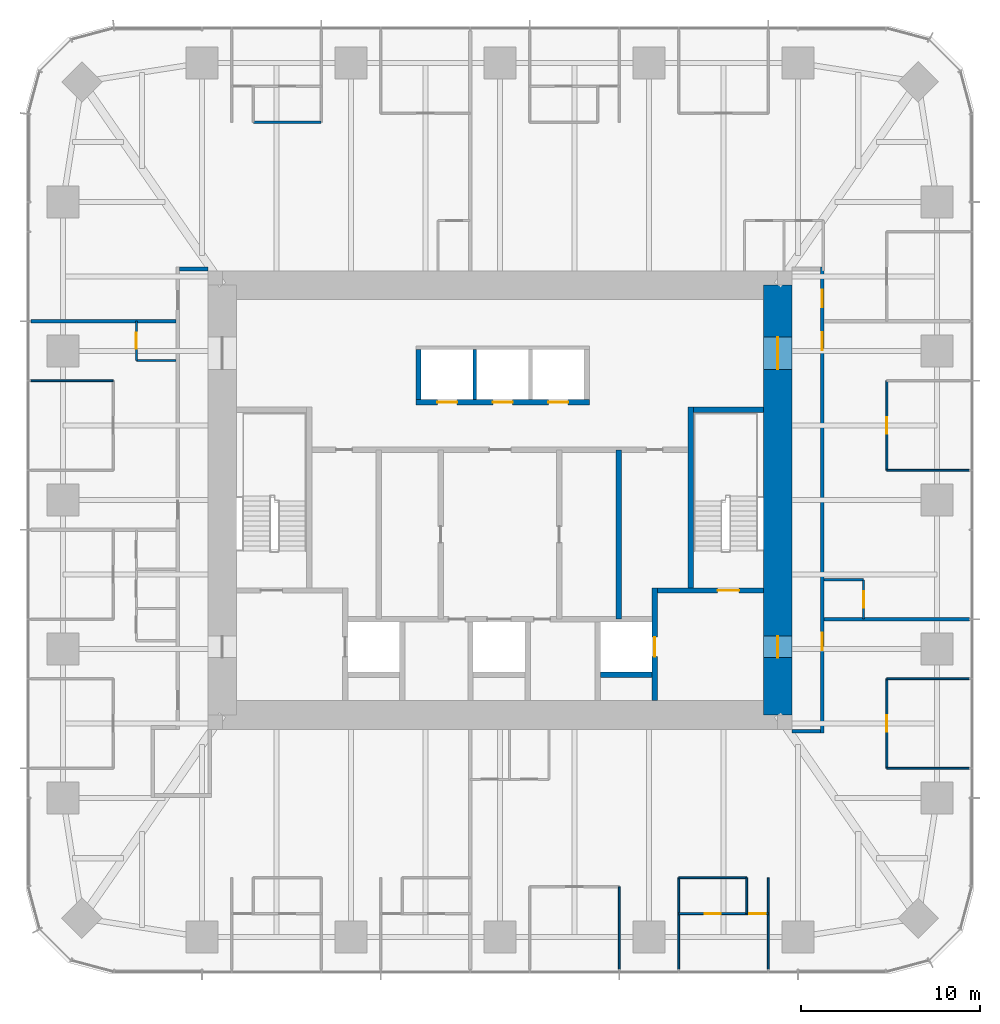
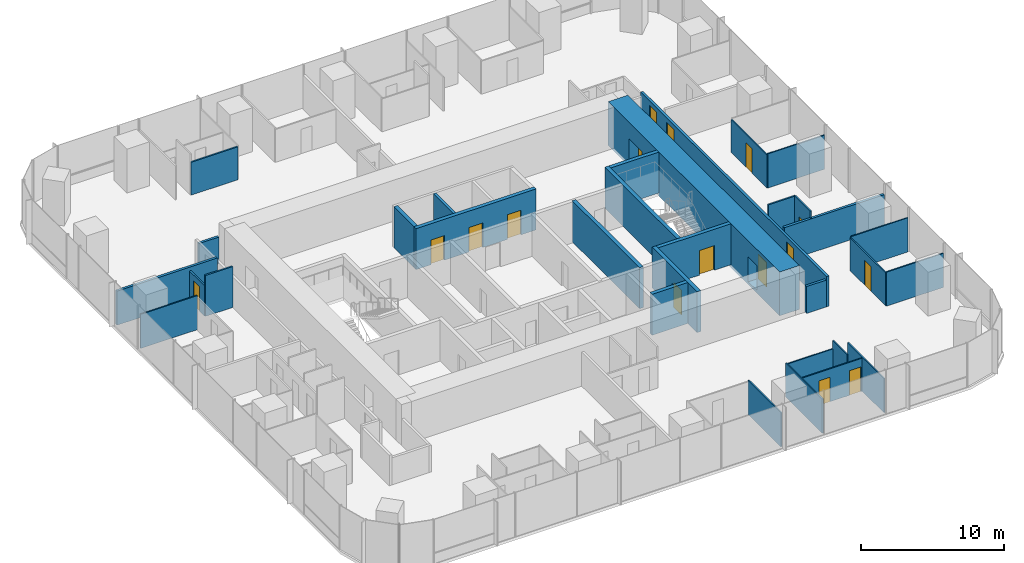
# One storey, part 10 of 12: 32 walls, 16 doors, 16 openings.
"""IFC4 building model written with IfcOpenShell, lengths in metres."""

from ifc_helpers import new_model, si_unit, direction, frame, frame_2d, origin, place, context, subcontext, project, spatial, rectangle, extrude, material, layer, layer_set, type_object, element, fill, save


model = new_model("IFC4")

# Units and contexts
model_context = context("Model", 3, precision=1e-05, world=origin(), true_north=direction((0.0, 1.0)))
body_context = subcontext(model_context, "Body", "Model", "MODEL_VIEW")
ifc_project = project(units=[si_unit("LENGTHUNIT", "METRE"), si_unit("AREAUNIT", "SQUARE_METRE"), si_unit("VOLUMEUNIT", "CUBIC_METRE"), si_unit("PLANEANGLEUNIT", "RADIAN"), si_unit("MASSUNIT", "GRAM", prefix="KILO")], contexts=[model_context])

# Site, building, storey
site_placement = place(None, origin())
site = spatial("IfcSite", under=ifc_project, at=site_placement, CompositionType="ELEMENT")
building_placement = place(site_placement, origin())
building = spatial("IfcBuilding", under=site, at=building_placement, Name="Khuree Lantern Residences", CompositionType="ELEMENT")
storey_placement = place(building_placement, frame((0.0, 0.0, 214.5)))
storey = spatial("IfcBuildingStorey", under=building, at=storey_placement, Name="L53", CompositionType="ELEMENT", Elevation=214.5)

# Wall, opening, door
ifc_material_1 = material(Name="Moisture-resistant gypsum board on steel studs", Category="steel")
ifc_layer_1 = layer(ifc_material_1, 0.125)
ifc_layer_set_1 = layer_set([ifc_layer_1], Name="BATHROOM WALL BTW125")
wall_type_1 = type_object("IfcWallType", Name="BATHROOM WALL BTW125", PredefinedType="PARTITIONING", material=ifc_layer_set_1)
wall_1_placement = place(storey_placement, frame((20.300048828125, -6.656005859375, 0.0), z_axis=(0.0, 0.0, 1.0), x_axis=(0.0, 1.0, 0.0)))
wall_1 = element("IfcWall", 1, at=wall_1_placement, inside=storey, type_object=wall_type_1, Name="L53 BATHROOM WALL 01", PredefinedType="PARTITIONING", context=body_context, shape_type="SweptSolid", body=[
    extrude(rectangle(XDim=2.199951171875, YDim=0.125, at=frame_2d((1.10009765625, 0.0))), origin(), (0.0, 0.0, 1.0), 3.5),
])
opening_1_placement = place(wall_1_placement, frame((0.64990234375, 0.0, 0.0)))
opening_1 = element("IfcOpeningElement", 2, at=opening_1_placement, cuts=wall_1, Name="Opening 53-021", PredefinedType="OPENING", context=body_context, shape_type="SweptSolid", body=[
    extrude(rectangle(XDim=0.89990234375, YDim=2.10009765625, at=frame_2d((0.449951171875, 1.050048828125))), frame((0.0, 0.072509765625, 0.0), z_axis=(0.0, -1.0, 0.0), x_axis=(1.0, 0.0, 0.0)), (0.0, 0.0, 1.0), 0.14501953125),
])
ifc_material_2 = material(Name="Timber door leaf in hardwood frame", Category="wood")
door_type_1 = type_object("IfcDoorType", Name="BATHROOM DOOR 900X2100", OperationType="SINGLE_SWING_LEFT", PredefinedType="DOOR", material=ifc_material_2)
door_1_placement = place(opening_1_placement, origin())
door_1 = element("IfcDoor", 3, at=door_1_placement, inside=storey, type_object=door_type_1, Name="Bathroom door 53-021", OperationType="SINGLE_SWING_LEFT", OverallHeight=2.10009765625, OverallWidth=0.89990234375, PredefinedType="DOOR", context=body_context, shape_type="SweptSolid", body=[
    extrude(rectangle(XDim=0.89990234375, YDim=2.10009765625, at=frame_2d((0.449951171875, 1.050048828125))), frame((0.0, 0.02490234375, 0.0), z_axis=(0.0, -1.0, 0.0), x_axis=(1.0, 0.0, 0.0)), (0.0, 0.0, 1.0), 0.050048828125),
])
fill(opening_1, door_1)

# Walls
wall_2_placement = place(storey_placement, frame((18.10009765625, -4.4560546875, 0.0), z_axis=(0.0, 0.0, 1.0), x_axis=(1.0, 0.0, 0.0)))
element("IfcWall", 4, at=wall_2_placement, inside=storey, type_object=wall_type_1, Name="L53 BATHROOM WALL 01", PredefinedType="PARTITIONING", context=body_context, shape_type="SweptSolid", body=[
    extrude(rectangle(XDim=2.199951171875, YDim=0.125, at=frame_2d((1.10009765625, 0.0))), origin(), (0.0, 0.0, 1.0), 3.5),
])
wall_3_placement = place(storey_placement, frame((-9.98388671875, 21.094970703125, 0.0), z_axis=(0.0, 0.0, 1.0), x_axis=(-1.0, 0.0, 0.0)))
element("IfcWall", 5, at=wall_3_placement, inside=storey, type_object=wall_type_1, Name="L53 BATHROOM WALL 03", PredefinedType="PARTITIONING", context=body_context, shape_type="SweptSolid", body=[
    extrude(rectangle(XDim=3.7919921875, YDim=0.125, at=frame_2d((1.89599609375, 0.0))), origin(), (0.0, 0.0, 1.0), 2.81005859375),
])

# Wall, opening, door
wall_4_placement = place(storey_placement, frame((-20.300048828125, 9.98388671875, 0.0), z_axis=(0.0, 0.0, 1.0), x_axis=(0.0, -1.0, 0.0)))
wall_4 = element("IfcWall", 6, at=wall_4_placement, inside=storey, type_object=wall_type_1, Name="L53 BATHROOM WALL 04", PredefinedType="PARTITIONING", context=body_context, shape_type="SweptSolid", body=[
    extrude(rectangle(XDim=2.199951171875, YDim=0.125, at=frame_2d((1.10009765625, 0.0))), origin(), (0.0, 0.0, 1.0), 2.60009765625),
])
opening_2_placement = place(wall_4_placement, frame((0.64990234375, 0.0, 0.0)))
opening_2 = element("IfcOpeningElement", 7, at=opening_2_placement, cuts=wall_4, Name="Opening 53-036", PredefinedType="OPENING", context=body_context, shape_type="SweptSolid", body=[
    extrude(rectangle(XDim=0.89990234375, YDim=2.10009765625, at=frame_2d((0.449951171875, 1.050048828125))), frame((0.0, 0.072509765625, 0.0), z_axis=(0.0, -1.0, 0.0), x_axis=(1.0, 0.0, 0.0)), (0.0, 0.0, 1.0), 0.14501953125),
])
door_2_placement = place(opening_2_placement, origin())
door_2 = element("IfcDoor", 8, at=door_2_placement, inside=storey, type_object=door_type_1, Name="Bathroom door 53-036", OperationType="SINGLE_SWING_LEFT", OverallHeight=2.10009765625, OverallWidth=0.89990234375, PredefinedType="DOOR", context=body_context, shape_type="SweptSolid", body=[
    extrude(rectangle(XDim=0.89990234375, YDim=2.10009765625, at=frame_2d((0.449951171875, 1.050048828125))), frame((0.0, 0.02490234375, 0.0), z_axis=(0.0, -1.0, 0.0), x_axis=(1.0, 0.0, 0.0)), (0.0, 0.0, 1.0), 0.050048828125),
])
fill(opening_2, door_2)

# Wall
wall_5_placement = place(storey_placement, frame((-18.10009765625, 7.783935546875, 0.0), z_axis=(0.0, 0.0, 1.0), x_axis=(-1.0, 0.0, 0.0)))
element("IfcWall", 9, at=wall_5_placement, inside=storey, type_object=wall_type_1, Name="L53 BATHROOM WALL 04", PredefinedType="PARTITIONING", context=body_context, shape_type="SweptSolid", body=[
    extrude(rectangle(XDim=2.199951171875, YDim=0.125, at=frame_2d((1.10009765625, 0.0))), origin(), (0.0, 0.0, 1.0), 3.5),
])

# Wall, opening, door
ifc_material_3 = material(Name="Dense concrete blockwork", Category="masonry")
ifc_layer_2 = layer(ifc_material_3, 0.300048828125)
ifc_layer_set_2 = layer_set([ifc_layer_2], Name="CORE PARTITION WALL CPW300 EI 120")
wall_type_2 = type_object("IfcWallType", Name="CORE PARTITION WALL CPW300 EI 120", PredefinedType="PARTITIONING", material=ifc_layer_set_2)
wall_6_placement = place(storey_placement, frame((8.64990234375, -11.199951171875, 0.0), z_axis=(0.0, 0.0, 1.0), x_axis=(0.0, 1.0, 0.0)))
wall_6 = element("IfcWall", 10, at=wall_6_placement, inside=storey, type_object=wall_type_2, Name="L53 CORE WALL FL2E", PredefinedType="PARTITIONING", context=body_context, shape_type="SweptSolid", body=[
    extrude(rectangle(XDim=6.300048828125, YDim=0.300048828125, at=frame_2d((3.14990234375, 0.0))), origin(), (0.0, 0.0, 1.0), 3.5),
])
opening_3_placement = place(wall_6_placement, frame((2.449951171875, 0.0, 0.0)))
opening_3 = element("IfcOpeningElement", 11, at=opening_3_placement, cuts=wall_6, Name="Opening 53-008", PredefinedType="OPENING", context=body_context, shape_type="SweptSolid", body=[
    extrude(rectangle(XDim=1.10009765625, YDim=2.10009765625, at=frame_2d((0.550048828125, 1.050048828125))), frame((0.0, 0.16015625, 0.0), z_axis=(0.0, -1.0, 0.0), x_axis=(1.0, 0.0, 0.0)), (0.0, 0.0, 1.0), 0.320068359375),
])
ifc_material_4 = material(Name="Stainless steel lift landing door", Category="steel")
door_type_2 = type_object("IfcDoorType", Name="LIFT LANDING DOOR 1100X2100 E 120", OperationType="DOUBLE_DOOR_SLIDING", PredefinedType="DOOR", material=ifc_material_4)
door_3_placement = place(opening_3_placement, origin())
door_3 = element("IfcDoor", 12, at=door_3_placement, inside=storey, type_object=door_type_2, Name="Landing door FL2 53-008", OperationType="DOUBLE_DOOR_SLIDING", OverallHeight=2.10009765625, OverallWidth=1.10009765625, PredefinedType="DOOR", context=body_context, shape_type="SweptSolid", body=[
    extrude(rectangle(XDim=1.10009765625, YDim=2.10009765625, at=frame_2d((0.550048828125, 1.050048828125))), frame((0.0, 0.02490234375, 0.0), z_axis=(0.0, -1.0, 0.0), x_axis=(1.0, 0.0, 0.0)), (0.0, 0.0, 1.0), 0.050048828125),
])
fill(opening_3, door_3)

# Wall
wall_7_placement = place(storey_placement, frame((5.60009765625, -9.75, 0.0), z_axis=(0.0, 0.0, 1.0), x_axis=(1.0, 0.0, 0.0)))
element("IfcWall", 13, at=wall_7_placement, inside=storey, type_object=wall_type_2, Name="L53 CORE WALL FL2S", PredefinedType="PARTITIONING", context=body_context, shape_type="SweptSolid", body=[
    extrude(rectangle(XDim=2.89990234375, YDim=0.300048828125, at=frame_2d((1.449951171875, 0.0))), origin(), (0.0, 0.0, 1.0), 3.5),
])

# Wall, openings, doors
wall_8_placement = place(storey_placement, frame((-4.699951171875, 5.449951171875, 0.0), z_axis=(0.0, 0.0, 1.0), x_axis=(1.0, 0.0, 0.0)))
wall_8 = element("IfcWall", 14, at=wall_8_placement, inside=storey, type_object=wall_type_2, Name="L53 CORE WALL PHS", PredefinedType="PARTITIONING", context=body_context, shape_type="SweptSolid", body=[
    extrude(rectangle(XDim=9.699951171875, YDim=0.300048828125, at=frame_2d((4.85009765625, 0.0))), origin(), (0.0, 0.0, 1.0), 3.5),
])
opening_4_placement = place(wall_8_placement, frame((1.199951171875, 0.0, 0.0)))
opening_4 = element("IfcOpeningElement", 15, at=opening_4_placement, cuts=wall_8, Name="Opening 53-009", PredefinedType="OPENING", context=body_context, shape_type="SweptSolid", body=[
    extrude(rectangle(XDim=1.10009765625, YDim=2.10009765625, at=frame_2d((0.550048828125, 1.050048828125))), frame((0.0, 0.16015625, 0.0), z_axis=(0.0, -1.0, 0.0), x_axis=(1.0, 0.0, 0.0)), (0.0, 0.0, 1.0), 0.320068359375),
])
opening_5_placement = place(wall_8_placement, frame((4.300048828125, 0.0, 0.0)))
opening_5 = element("IfcOpeningElement", 16, at=opening_5_placement, cuts=wall_8, Name="Opening 53-010", PredefinedType="OPENING", context=body_context, shape_type="SweptSolid", body=[
    extrude(rectangle(XDim=1.10009765625, YDim=2.10009765625, at=frame_2d((0.550048828125, 1.050048828125))), frame((0.0, 0.16015625, 0.0), z_axis=(0.0, -1.0, 0.0), x_axis=(1.0, 0.0, 0.0)), (0.0, 0.0, 1.0), 0.320068359375),
])
opening_6_placement = place(wall_8_placement, frame((7.39990234375, 0.0, 0.0)))
opening_6 = element("IfcOpeningElement", 17, at=opening_6_placement, cuts=wall_8, Name="Opening 53-011", PredefinedType="OPENING", context=body_context, shape_type="SweptSolid", body=[
    extrude(rectangle(XDim=1.10009765625, YDim=2.10009765625, at=frame_2d((0.550048828125, 1.050048828125))), frame((0.0, 0.16015625, 0.0), z_axis=(0.0, -1.0, 0.0), x_axis=(1.0, 0.0, 0.0)), (0.0, 0.0, 1.0), 0.320068359375),
])
door_type_3 = type_object("IfcDoorType", Name="LIFT LANDING DOOR 1100X2100 E 60", OperationType="DOUBLE_DOOR_SLIDING", PredefinedType="DOOR", material=ifc_material_4)
door_4_placement = place(opening_4_placement, origin())
door_4 = element("IfcDoor", 18, at=door_4_placement, inside=storey, type_object=door_type_3, Name="Landing door PH1 53-009", OperationType="DOUBLE_DOOR_SLIDING", OverallHeight=2.10009765625, OverallWidth=1.10009765625, PredefinedType="DOOR", context=body_context, shape_type="SweptSolid", body=[
    extrude(rectangle(XDim=1.10009765625, YDim=2.10009765625, at=frame_2d((0.550048828125, 1.050048828125))), frame((0.0, 0.02490234375, 0.0), z_axis=(0.0, -1.0, 0.0), x_axis=(1.0, 0.0, 0.0)), (0.0, 0.0, 1.0), 0.050048828125),
])
fill(opening_4, door_4)
door_5_placement = place(opening_5_placement, origin())
door_5 = element("IfcDoor", 19, at=door_5_placement, inside=storey, type_object=door_type_3, Name="Landing door PH2 53-010", OperationType="DOUBLE_DOOR_SLIDING", OverallHeight=2.10009765625, OverallWidth=1.10009765625, PredefinedType="DOOR", context=body_context, shape_type="SweptSolid", body=[
    extrude(rectangle(XDim=1.10009765625, YDim=2.10009765625, at=frame_2d((0.550048828125, 1.050048828125))), frame((0.0, 0.02490234375, 0.0), z_axis=(0.0, -1.0, 0.0), x_axis=(1.0, 0.0, 0.0)), (0.0, 0.0, 1.0), 0.050048828125),
])
fill(opening_5, door_5)
door_6_placement = place(opening_6_placement, origin())
door_6 = element("IfcDoor", 20, at=door_6_placement, inside=storey, type_object=door_type_3, Name="Landing door PH3 53-011", OperationType="DOUBLE_DOOR_SLIDING", OverallHeight=2.10009765625, OverallWidth=1.10009765625, PredefinedType="DOOR", context=body_context, shape_type="SweptSolid", body=[
    extrude(rectangle(XDim=1.10009765625, YDim=2.10009765625, at=frame_2d((0.550048828125, 1.050048828125))), frame((0.0, 0.02490234375, 0.0), z_axis=(0.0, -1.0, 0.0), x_axis=(1.0, 0.0, 0.0)), (0.0, 0.0, 1.0), 0.050048828125),
])
fill(opening_6, door_6)

# Walls
wall_9_placement = place(storey_placement, frame((-4.550048828125, 5.60009765625, 0.0), z_axis=(0.0, 0.0, 1.0), x_axis=(0.0, 1.0, 0.0)))
element("IfcWall", 21, at=wall_9_placement, inside=storey, type_object=wall_type_2, Name="L53 CORE WALL PHW", PredefinedType="PARTITIONING", context=body_context, shape_type="SweptSolid", body=[
    extrude(rectangle(XDim=2.7998046875, YDim=0.300048828125, at=frame_2d((1.39990234375, 0.0))), origin(), (0.0, 0.0, 1.0), 3.5),
])
wall_10_placement = place(storey_placement, frame((6.6220703125, -6.64990234375, 0.0), z_axis=(0.0, 0.0, 1.0), x_axis=(0.0, 1.0, 0.0)))
element("IfcWall", 22, at=wall_10_placement, inside=storey, type_object=wall_type_2, Name="L53 CORE WALL EV", PredefinedType="PARTITIONING", context=body_context, shape_type="SweptSolid", body=[
    extrude(rectangle(XDim=9.449951171875, YDim=0.300048828125, at=frame_2d((4.72509765625, 0.0))), origin(), (0.0, 0.0, 1.0), 3.5),
])
ifc_material_5 = material(Name="Gypsum board on steel studs", Category="steel")
ifc_layer_3 = layer(ifc_material_5, 0.199951171875)
ifc_layer_set_3 = layer_set([ifc_layer_3], Name="CORRIDOR WALL CRW200 EI 60")
wall_type_3 = type_object("IfcWallType", Name="CORRIDOR WALL CRW200 EI 60", PredefinedType="PARTITIONING", material=ifc_layer_set_3)
for number, where, z_axis, x_axis, name in (
    (23, (16.300048828125, -12.89990234375, 0.0), (0.0, 0.0, 1.0), (1.0, 0.0, 0.0), "L53 EAST CORRIDOR SOUTH END WALL"),
    (24, (-16.300048828125, 12.89990234375, 0.0), (0.0, 0.0, 1.0), (-1.0, 0.0, 0.0), "L53 WEST CORRIDOR NORTH END WALL"),
):
    element("IfcWall", number, at=place(storey_placement, frame(where, z_axis=z_axis, x_axis=x_axis)), inside=storey, type_object=wall_type_3, Name=name, PredefinedType="PARTITIONING", context=body_context, shape_type="SweptSolid", body=[
        extrude(rectangle(XDim=1.599853515625, YDim=0.199951171875, at=frame_2d((0.7998046875, 0.0))), origin(), (0.0, 0.0, 1.0), 2.300048828125),
    ])

# Wall, openings, doors
wall_11_placement = place(storey_placement, frame((18.0, -13.0, 0.0), z_axis=(0.0, 0.0, 1.0), x_axis=(0.0, 1.0, 0.0)))
wall_11 = element("IfcWall", 25, at=wall_11_placement, inside=storey, type_object=wall_type_3, Name="L53 CORRIDOR WALL EAST 1", PredefinedType="PARTITIONING", context=body_context, shape_type="SweptSolid", body=[
    extrude(rectangle(XDim=26.0, YDim=0.199951171875, at=frame_2d((13.0, 0.0))), origin(), (0.0, 0.0, 1.0), 2.60009765625),
])
opening_7_placement = place(wall_11_placement, frame((21.364013671875, 0.0, 0.0)))
opening_7 = element("IfcOpeningElement", 26, at=opening_7_placement, cuts=wall_11, Name="Opening 53-022", PredefinedType="OPENING", context=body_context, shape_type="SweptSolid", body=[
    extrude(rectangle(XDim=1.0, YDim=2.199951171875, at=frame_2d((0.5, 1.10009765625))), frame((0.0, 0.10986328125, 0.0), z_axis=(0.0, -1.0, 0.0), x_axis=(1.0, 0.0, 0.0)), (0.0, 0.0, 1.0), 0.219970703125),
])
opening_8_placement = place(wall_11_placement, frame((23.75390625, 0.0, 0.0)))
opening_8 = element("IfcOpeningElement", 27, at=opening_8_placement, cuts=wall_11, Name="Opening 53-029", PredefinedType="OPENING", context=body_context, shape_type="SweptSolid", body=[
    extrude(rectangle(XDim=1.0, YDim=2.199951171875, at=frame_2d((0.5, 1.10009765625))), frame((0.0, 0.10986328125, 0.0), z_axis=(0.0, -1.0, 0.0), x_axis=(1.0, 0.0, 0.0)), (0.0, 0.0, 1.0), 0.219970703125),
])
opening_9_placement = place(wall_11_placement, frame((4.60009765625, 0.0, 0.0)))
opening_9 = element("IfcOpeningElement", 28, at=opening_9_placement, cuts=wall_11, Name="Opening 53-054", PredefinedType="OPENING", context=body_context, shape_type="SweptSolid", body=[
    extrude(rectangle(XDim=1.0, YDim=2.199951171875, at=frame_2d((0.5, 1.10009765625))), frame((0.0, 0.10986328125, 0.0), z_axis=(0.0, -1.0, 0.0), x_axis=(1.0, 0.0, 0.0)), (0.0, 0.0, 1.0), 0.219970703125),
])
door_type_4 = type_object("IfcDoorType", Name="APARTMENT ENTRANCE DOOR 1000X2200 EI 30S", OperationType="SINGLE_SWING_LEFT", PredefinedType="DOOR", material=ifc_material_2)
door_7_placement = place(opening_9_placement, origin())
door_7 = element("IfcDoor", 29, at=door_7_placement, inside=storey, type_object=door_type_4, Name="Apartment 06 entrance door 53-054", OperationType="SINGLE_SWING_LEFT", OverallHeight=2.199951171875, OverallWidth=1.0, PredefinedType="DOOR", context=body_context, shape_type="SweptSolid", body=[
    extrude(rectangle(XDim=1.0, YDim=2.199951171875, at=frame_2d((0.5, 1.10009765625))), frame((0.0, 0.02490234375, 0.0), z_axis=(0.0, -1.0, 0.0), x_axis=(1.0, 0.0, 0.0)), (0.0, 0.0, 1.0), 0.050048828125),
])
fill(opening_9, door_7)
door_type_5 = type_object("IfcDoorType", Name="APARTMENT ENTRANCE DOOR 1000X2200 EI 30S RIGHT HAND", OperationType="SINGLE_SWING_RIGHT", PredefinedType="DOOR", material=ifc_material_2)
door_8_placement = place(opening_7_placement, origin())
door_8 = element("IfcDoor", 30, at=door_8_placement, inside=storey, type_object=door_type_5, Name="Apartment 01 entrance door 53-022", OperationType="SINGLE_SWING_RIGHT", OverallHeight=2.199951171875, OverallWidth=1.0, PredefinedType="DOOR", context=body_context, shape_type="SweptSolid", body=[
    extrude(rectangle(XDim=1.0, YDim=2.199951171875, at=frame_2d((0.5, 1.10009765625))), frame((0.0, 0.02490234375, 0.0), z_axis=(0.0, -1.0, 0.0), x_axis=(1.0, 0.0, 0.0)), (0.0, 0.0, 1.0), 0.050048828125),
])
fill(opening_7, door_8)
door_9_placement = place(opening_8_placement, origin())
door_9 = element("IfcDoor", 31, at=door_9_placement, inside=storey, type_object=door_type_5, Name="Apartment 02 entrance door 53-029", OperationType="SINGLE_SWING_RIGHT", OverallHeight=2.199951171875, OverallWidth=1.0, PredefinedType="DOOR", context=body_context, shape_type="SweptSolid", body=[
    extrude(rectangle(XDim=1.0, YDim=2.199951171875, at=frame_2d((0.5, 1.10009765625))), frame((0.0, 0.02490234375, 0.0), z_axis=(0.0, -1.0, 0.0), x_axis=(1.0, 0.0, 0.0)), (0.0, 0.0, 1.0), 0.050048828125),
])
fill(opening_8, door_9)

ifc_material_6 = material(Name="Concrete C50/60", Category="concrete")
ifc_layer_4 = layer(ifc_material_6, 1.60009765625)
ifc_layer_set_4 = layer_set([ifc_layer_4], Name="CW1600-C50 CORE WALL C50 1600")
wall_type_4 = type_object("IfcWallType", Name="CW1600-C50 CORE WALL C50 1600", PredefinedType="SHEAR", material=ifc_layer_set_4)
wall_12_placement = place(storey_placement, frame((15.5, -12.0, -0.25), z_axis=(0.0, 0.0, 1.0), x_axis=(0.0, 1.0, 0.0)))
wall_12 = element("IfcWall", 32, at=wall_12_placement, inside=storey, type_object=wall_type_4, Name="Core wall E", PredefinedType="SHEAR", context=body_context, shape_type="SweptSolid", body=[
    extrude(rectangle(XDim=24.0, YDim=1.60009765625, at=frame_2d((12.0, 0.0))), origin(), (0.0, 0.0, 1.0), 3.75),
])
opening_10_placement = place(wall_12_placement, frame((3.199951171875, 0.0, 0.25)))
opening_10 = element("IfcOpeningElement", 33, at=opening_10_placement, cuts=wall_12, Name="Opening 53-005", PredefinedType="OPENING", context=body_context, shape_type="SweptSolid", body=[
    extrude(rectangle(XDim=1.199951171875, YDim=2.10009765625, at=frame_2d((0.60009765625, 1.050048828125))), frame((0.0, 0.81005859375, 0.0), z_axis=(0.0, -1.0, 0.0), x_axis=(1.0, 0.0, 0.0)), (0.0, 0.0, 1.0), 1.6201171875),
])
opening_11_placement = place(wall_12_placement, frame((19.300048828125, 0.0, 0.25)))
opening_11 = element("IfcOpeningElement", 34, at=opening_11_placement, cuts=wall_12, Name="Opening 53-006", PredefinedType="OPENING", context=body_context, shape_type="SweptSolid", body=[
    extrude(rectangle(XDim=1.800048828125, YDim=2.10009765625, at=frame_2d((0.89990234375, 1.050048828125))), frame((0.0, 0.81005859375, 0.0), z_axis=(0.0, -1.0, 0.0), x_axis=(1.0, 0.0, 0.0)), (0.0, 0.0, 1.0), 1.6201171875),
])
ifc_material_7 = material(Name="Steel door leaf in steel frame", Category="steel")
door_type_6 = type_object("IfcDoorType", Name="LOBBY DOOR 1200X2100 EI 120", OperationType="SINGLE_SWING_LEFT", PredefinedType="DOOR", material=ifc_material_7)
door_10_placement = place(opening_10_placement, origin())
door_10 = element("IfcDoor", 35, at=door_10_placement, inside=storey, type_object=door_type_6, Name="Firefighting lobby door 53-005", OperationType="SINGLE_SWING_LEFT", OverallHeight=2.10009765625, OverallWidth=1.199951171875, PredefinedType="DOOR", context=body_context, shape_type="SweptSolid", body=[
    extrude(rectangle(XDim=1.199951171875, YDim=2.10009765625, at=frame_2d((0.60009765625, 1.050048828125))), frame((0.0, 0.02490234375, 0.0), z_axis=(0.0, -1.0, 0.0), x_axis=(1.0, 0.0, 0.0)), (0.0, 0.0, 1.0), 0.050048828125),
])
fill(opening_10, door_10)
door_type_7 = type_object("IfcDoorType", Name="LOBBY DOUBLE DOOR 1800X2100 EI 60", OperationType="DOUBLE_DOOR_SINGLE_SWING", PredefinedType="DOOR", material=ifc_material_7)
door_11_placement = place(opening_11_placement, origin())
door_11 = element("IfcDoor", 36, at=door_11_placement, inside=storey, type_object=door_type_7, Name="Lift lobby door 53-006", OperationType="DOUBLE_DOOR_SINGLE_SWING", OverallHeight=2.10009765625, OverallWidth=1.800048828125, PredefinedType="DOOR", context=body_context, shape_type="SweptSolid", body=[
    extrude(rectangle(XDim=1.800048828125, YDim=2.10009765625, at=frame_2d((0.89990234375, 1.050048828125))), frame((0.0, 0.02490234375, 0.0), z_axis=(0.0, -1.0, 0.0), x_axis=(1.0, 0.0, 0.0)), (0.0, 0.0, 1.0), 0.050048828125),
])
fill(opening_11, door_11)

# Walls
ifc_layer_5 = layer(ifc_material_5, 0.199951171875)
ifc_layer_set_5 = layer_set([ifc_layer_5], Name="DEMISING WALL DMW200 EI 90")
wall_type_5 = type_object("IfcWallType", Name="DEMISING WALL DMW200 EI 90", PredefinedType="PARTITIONING", material=ifc_layer_set_5)
for number, where, z_axis, x_axis, name in (
    (37, (18.10009765625, -6.656005859375, 0.0), (0.0, 0.0, 1.0), (1.0, 0.0, 0.0), "L53 DEMISING WALL 01"),
    (38, (-18.10009765625, 9.98388671875, 0.0), (0.0, 0.0, 1.0), (-1.0, 0.0, 0.0), "L53 DEMISING WALL 04"),
):
    element("IfcWall", number, at=place(storey_placement, frame(where, z_axis=z_axis, x_axis=x_axis)), inside=storey, type_object=wall_type_5, Name=name, PredefinedType="PARTITIONING", context=body_context, shape_type="SweptSolid", body=[
        extrude(rectangle(XDim=8.099853515625, YDim=0.199951171875, at=frame_2d((4.0498046875, 0.0))), origin(), (0.0, 0.0, 1.0), 2.909912109375),
    ])
ifc_layer_6 = layer(ifc_material_5, 0.10009765625)
ifc_layer_set_6 = layer_set([ifc_layer_6], Name="PARTITION PT100")
wall_type_6 = type_object("IfcWallType", Name="PARTITION PT100", PredefinedType="PARTITIONING", material=ifc_layer_set_6)
for number, where, z_axis, x_axis, name in (
    (39, (21.60009765625, 1.6640625, 0.0), (0.0, 0.0, 1.0), (1.0, 0.0, 0.0), "L53 PARTITION 01"),
    (40, (-21.60009765625, 6.656005859375, 0.0), (0.0, 0.0, 1.0), (-1.0, 0.0, 0.0), "L53 PARTITION 04"),
    (41, (6.656005859375, -21.60009765625, 0.0), (0.0, 0.0, 1.0), (0.0, -1.0, 0.0), "L53 PARTITION 06"),
):
    element("IfcWall", number, at=place(storey_placement, frame(where, z_axis=z_axis, x_axis=x_axis)), inside=storey, type_object=wall_type_6, Name=name, PredefinedType="PARTITIONING", context=body_context, shape_type="SweptSolid", body=[
        extrude(rectangle(XDim=4.599853515625, YDim=0.10009765625, at=frame_2d((2.2998046875, 0.0))), origin(), (0.0, 0.0, 1.0), 2.909912109375),
    ])
for number, where, z_axis, x_axis, name in (
    (42, (9.98388671875, -21.094970703125, 0.0), (0.0, 0.0, 1.0), (0.0, -1.0, 0.0), "L53 PARTITION 06"),
    (43, (14.97607421875, -21.094970703125, 0.0), (0.0, 0.0, 1.0), (0.0, -1.0, 0.0), "L53 PARTITION 06"),
):
    element("IfcWall", number, at=place(storey_placement, frame(where, z_axis=z_axis, x_axis=x_axis)), inside=storey, type_object=wall_type_6, Name=name, PredefinedType="PARTITIONING", context=body_context, shape_type="SweptSolid", body=[
        extrude(rectangle(XDim=5.10498046875, YDim=0.10009765625, at=frame_2d((2.552490234375, 0.0))), origin(), (0.0, 0.0, 1.0), 2.909912109375),
    ])
for number, where, z_axis, x_axis, name in (
    (44, (21.60009765625, -14.97607421875, 0.0), (0.0, 0.0, 1.0), (1.0, 0.0, 0.0), "L53 PARTITION 06"),
    (45, (21.60009765625, -9.98388671875, 0.0), (0.0, 0.0, 1.0), (1.0, 0.0, 0.0), "L53 PARTITION 06"),
):
    element("IfcWall", number, at=place(storey_placement, frame(where, z_axis=z_axis, x_axis=x_axis)), inside=storey, type_object=wall_type_6, Name=name, PredefinedType="PARTITIONING", context=body_context, shape_type="SweptSolid", body=[
        extrude(rectangle(XDim=4.599853515625, YDim=0.10009765625, at=frame_2d((2.2998046875, 0.0))), origin(), (0.0, 0.0, 1.0), 2.909912109375),
    ])

# Wall, opening, door
wall_13_placement = place(storey_placement, frame((21.60009765625, 1.6640625, 0.0), z_axis=(0.0, 0.0, 1.0), x_axis=(0.0, 1.0, 0.0)))
wall_13 = element("IfcWall", 46, at=wall_13_placement, inside=storey, type_object=wall_type_6, Name="L53 PARTITION 01", PredefinedType="PARTITIONING", context=body_context, shape_type="SweptSolid", body=[
    extrude(rectangle(XDim=4.991943359375, YDim=0.10009765625, at=frame_2d((2.49609375, 0.0))), origin(), (0.0, 0.0, 1.0), 2.81005859375),
])
opening_12_placement = place(wall_13_placement, frame((2.0458984375, 0.0, 0.0)))
opening_12 = element("IfcOpeningElement", 47, at=opening_12_placement, cuts=wall_13, Name="Opening 53-020", PredefinedType="OPENING", context=body_context, shape_type="SweptSolid", body=[
    extrude(rectangle(XDim=0.89990234375, YDim=2.10009765625, at=frame_2d((0.449951171875, 1.050048828125))), frame((0.0, 0.06005859375, 0.0), z_axis=(0.0, -1.0, 0.0), x_axis=(1.0, 0.0, 0.0)), (0.0, 0.0, 1.0), 0.1201171875),
])
door_type_8 = type_object("IfcDoorType", Name="BEDROOM DOOR 900X2100", OperationType="SINGLE_SWING_LEFT", PredefinedType="DOOR", material=ifc_material_2)
door_12_placement = place(opening_12_placement, origin())
door_12 = element("IfcDoor", 48, at=door_12_placement, inside=storey, type_object=door_type_8, Name="Bedroom door 53-020", OperationType="SINGLE_SWING_LEFT", OverallHeight=2.10009765625, OverallWidth=0.89990234375, PredefinedType="DOOR", context=body_context, shape_type="SweptSolid", body=[
    extrude(rectangle(XDim=0.89990234375, YDim=2.10009765625, at=frame_2d((0.449951171875, 1.050048828125))), frame((0.0, 0.02490234375, 0.0), z_axis=(0.0, -1.0, 0.0), x_axis=(1.0, 0.0, 0.0)), (0.0, 0.0, 1.0), 0.050048828125),
])
fill(opening_12, door_12)

# Wall, openings, doors
wall_14_placement = place(storey_placement, frame((9.98388671875, -23.094970703125, 0.0), z_axis=(0.0, 0.0, 1.0), x_axis=(1.0, 0.0, 0.0)))
wall_14 = element("IfcWall", 49, at=wall_14_placement, inside=storey, type_object=wall_type_6, Name="L53 PARTITION 06", PredefinedType="PARTITIONING", context=body_context, shape_type="SweptSolid", body=[
    extrude(rectangle(XDim=4.9921875, YDim=0.10009765625, at=frame_2d((2.49609375, 0.0))), origin(), (0.0, 0.0, 1.0), 2.81005859375),
])
opening_13_placement = place(wall_14_placement, frame((3.94189453125, 0.0, 0.0)))
opening_13 = element("IfcOpeningElement", 50, at=opening_13_placement, cuts=wall_14, Name="Opening 53-049", PredefinedType="OPENING", context=body_context, shape_type="SweptSolid", body=[
    extrude(rectangle(XDim=0.89990234375, YDim=2.10009765625, at=frame_2d((0.449951171875, 1.050048828125))), frame((0.0, 0.06005859375, 0.0), z_axis=(0.0, -1.0, 0.0), x_axis=(1.0, 0.0, 0.0)), (0.0, 0.0, 1.0), 0.1201171875),
])
opening_14_placement = place(wall_14_placement, frame((1.446044921875, 0.0, 0.0)))
opening_14 = element("IfcOpeningElement", 51, at=opening_14_placement, cuts=wall_14, Name="Opening 53-050", PredefinedType="OPENING", context=body_context, shape_type="SweptSolid", body=[
    extrude(rectangle(XDim=0.89990234375, YDim=2.10009765625, at=frame_2d((0.449951171875, 1.050048828125))), frame((0.0, 0.06005859375, 0.0), z_axis=(0.0, -1.0, 0.0), x_axis=(1.0, 0.0, 0.0)), (0.0, 0.0, 1.0), 0.1201171875),
])
door_13_placement = place(opening_13_placement, origin())
door_13 = element("IfcDoor", 52, at=door_13_placement, inside=storey, type_object=door_type_8, Name="Bedroom door 53-049", OperationType="SINGLE_SWING_LEFT", OverallHeight=2.10009765625, OverallWidth=0.89990234375, PredefinedType="DOOR", context=body_context, shape_type="SweptSolid", body=[
    extrude(rectangle(XDim=0.89990234375, YDim=2.10009765625, at=frame_2d((0.449951171875, 1.050048828125))), frame((0.0, 0.02490234375, 0.0), z_axis=(0.0, -1.0, 0.0), x_axis=(1.0, 0.0, 0.0)), (0.0, 0.0, 1.0), 0.050048828125),
])
fill(opening_13, door_13)
door_type_9 = type_object("IfcDoorType", Name="DOOR 900X2100", OperationType="SINGLE_SWING_LEFT", PredefinedType="DOOR", material=ifc_material_2)
door_14_placement = place(opening_14_placement, origin())
door_14 = element("IfcDoor", 53, at=door_14_placement, inside=storey, type_object=door_type_9, Name="Wardrobe door 53-050", OperationType="SINGLE_SWING_LEFT", OverallHeight=2.10009765625, OverallWidth=0.89990234375, PredefinedType="DOOR", context=body_context, shape_type="SweptSolid", body=[
    extrude(rectangle(XDim=0.89990234375, YDim=2.10009765625, at=frame_2d((0.449951171875, 1.050048828125))), frame((0.0, 0.02490234375, 0.0), z_axis=(0.0, -1.0, 0.0), x_axis=(1.0, 0.0, 0.0)), (0.0, 0.0, 1.0), 0.050048828125),
])
fill(opening_14, door_14)

# Walls
wall_15_placement = place(storey_placement, frame((13.77587890625, -21.094970703125, 0.0), z_axis=(0.0, 0.0, 1.0), x_axis=(0.0, -1.0, 0.0)))
element("IfcWall", 54, at=wall_15_placement, inside=storey, type_object=wall_type_6, Name="L53 PARTITION 06", PredefinedType="PARTITIONING", context=body_context, shape_type="SweptSolid", body=[
    extrude(rectangle(XDim=2.0, YDim=0.10009765625, at=frame_2d((1.0, 0.0))), origin(), (0.0, 0.0, 1.0), 3.5),
])
wall_16_placement = place(storey_placement, frame((9.98388671875, -21.094970703125, 0.0), z_axis=(0.0, 0.0, 1.0), x_axis=(1.0, 0.0, 0.0)))
element("IfcWall", 55, at=wall_16_placement, inside=storey, type_object=wall_type_6, Name="L53 PARTITION 06", PredefinedType="PARTITIONING", context=body_context, shape_type="SweptSolid", body=[
    extrude(rectangle(XDim=3.7919921875, YDim=0.10009765625, at=frame_2d((1.89599609375, 0.0))), origin(), (0.0, 0.0, 1.0), 2.81005859375),
])

# Wall, opening, door
wall_17_placement = place(storey_placement, frame((21.60009765625, -14.97607421875, 0.0), z_axis=(0.0, 0.0, 1.0), x_axis=(0.0, 1.0, 0.0)))
wall_17 = element("IfcWall", 56, at=wall_17_placement, inside=storey, type_object=wall_type_6, Name="L53 PARTITION 06", PredefinedType="PARTITIONING", context=body_context, shape_type="SweptSolid", body=[
    extrude(rectangle(XDim=4.9921875, YDim=0.10009765625, at=frame_2d((2.49609375, 0.0))), origin(), (0.0, 0.0, 1.0), 2.81005859375),
])
opening_15_placement = place(wall_17_placement, frame((2.0458984375, 0.0, 0.0)))
opening_15 = element("IfcOpeningElement", 57, at=opening_15_placement, cuts=wall_17, Name="Opening 53-051", PredefinedType="OPENING", context=body_context, shape_type="SweptSolid", body=[
    extrude(rectangle(XDim=0.89990234375, YDim=2.10009765625, at=frame_2d((0.449951171875, 1.050048828125))), frame((0.0, 0.06005859375, 0.0), z_axis=(0.0, -1.0, 0.0), x_axis=(1.0, 0.0, 0.0)), (0.0, 0.0, 1.0), 0.1201171875),
])
door_15_placement = place(opening_15_placement, origin())
door_15 = element("IfcDoor", 58, at=door_15_placement, inside=storey, type_object=door_type_8, Name="Bedroom door 53-051", OperationType="SINGLE_SWING_LEFT", OverallHeight=2.10009765625, OverallWidth=0.89990234375, PredefinedType="DOOR", context=body_context, shape_type="SweptSolid", body=[
    extrude(rectangle(XDim=0.89990234375, YDim=2.10009765625, at=frame_2d((0.449951171875, 1.050048828125))), frame((0.0, 0.02490234375, 0.0), z_axis=(0.0, -1.0, 0.0), x_axis=(1.0, 0.0, 0.0)), (0.0, 0.0, 1.0), 0.050048828125),
])
fill(opening_15, door_15)

# Walls
ifc_layer_7 = layer(ifc_material_3, 0.199951171875)
ifc_layer_set_7 = layer_set([ifc_layer_7], Name="SHAFT WALL SHW200 EI 120")
wall_type_7 = type_object("IfcWallType", Name="SHAFT WALL SHW200 EI 120", PredefinedType="PARTITIONING", material=ifc_layer_set_7)
wall_18_placement = place(storey_placement, frame((-1.39990234375, 5.60009765625, 0.0), z_axis=(0.0, 0.0, 1.0), x_axis=(0.0, 1.0, 0.0)))
element("IfcWall", 59, at=wall_18_placement, inside=storey, type_object=wall_type_7, Name="L53 CORE WALL PHD1", PredefinedType="PARTITIONING", context=body_context, shape_type="SweptSolid", body=[
    extrude(rectangle(XDim=2.7998046875, YDim=0.199951171875, at=frame_2d((1.39990234375, 0.0))), origin(), (0.0, 0.0, 1.0), 3.5),
])
ifc_layer_8 = layer(ifc_material_6, 0.300048828125)
ifc_layer_set_8 = layer_set([ifc_layer_8], Name="STAIR WALL SRW300 C50/60 REI 240")
wall_type_8 = type_object("IfcWallType", Name="STAIR WALL SRW300 C50/60 REI 240", PredefinedType="SOLIDWALL", material=ifc_layer_set_8)
wall_19_placement = place(storey_placement, frame((10.64990234375, -4.89990234375, 0.0), z_axis=(0.0, 0.0, 1.0), x_axis=(0.0, 1.0, 0.0)))
element("IfcWall", 60, at=wall_19_placement, inside=storey, type_object=wall_type_8, Name="L53 STAIR WALL ST2E", PredefinedType="SOLIDWALL", context=body_context, shape_type="SweptSolid", body=[
    extrude(rectangle(XDim=10.099853515625, YDim=0.300048828125, at=frame_2d((5.0498046875, 0.0))), origin(), (0.0, 0.0, 1.0), 3.5),
])

# Wall, opening, door
wall_20_placement = place(storey_placement, frame((14.699951171875, -5.050048828125, 0.0), z_axis=(0.0, 0.0, 1.0), x_axis=(-1.0, 0.0, 0.0)))
wall_20 = element("IfcWall", 61, at=wall_20_placement, inside=storey, type_object=wall_type_8, Name="L53 STAIR WALL ST2S", PredefinedType="SOLIDWALL", context=body_context, shape_type="SweptSolid", body=[
    extrude(rectangle(XDim=5.89990234375, YDim=0.300048828125, at=frame_2d((2.949951171875, 0.0))), origin(), (0.0, 0.0, 1.0), 3.5),
])
opening_16_placement = place(wall_20_placement, frame((1.35009765625, 0.0, 0.0)))
opening_16 = element("IfcOpeningElement", 62, at=opening_16_placement, cuts=wall_20, Name="Opening 53-004", PredefinedType="OPENING", context=body_context, shape_type="SweptSolid", body=[
    extrude(rectangle(XDim=1.199951171875, YDim=2.10009765625, at=frame_2d((0.60009765625, 1.050048828125))), frame((0.0, 0.16015625, 0.0), z_axis=(0.0, -1.0, 0.0), x_axis=(1.0, 0.0, 0.0)), (0.0, 0.0, 1.0), 0.320068359375),
])
door_type_10 = type_object("IfcDoorType", Name="STAIR DOOR 1200X2100 EI 120", OperationType="SINGLE_SWING_LEFT", PredefinedType="DOOR", material=ifc_material_7)
door_16_placement = place(opening_16_placement, origin())
door_16 = element("IfcDoor", 63, at=door_16_placement, inside=storey, type_object=door_type_10, Name="Stair ST2 door 53-004", OperationType="SINGLE_SWING_LEFT", OverallHeight=2.10009765625, OverallWidth=1.199951171875, PredefinedType="DOOR", context=body_context, shape_type="SweptSolid", body=[
    extrude(rectangle(XDim=1.199951171875, YDim=2.10009765625, at=frame_2d((0.60009765625, 1.050048828125))), frame((0.0, 0.02490234375, 0.0), z_axis=(0.0, -1.0, 0.0), x_axis=(1.0, 0.0, 0.0)), (0.0, 0.0, 1.0), 0.050048828125),
])
fill(opening_16, door_16)

# Wall
wall_21_placement = place(storey_placement, frame((14.699951171875, 5.050048828125, 0.0), z_axis=(0.0, 0.0, 1.0), x_axis=(-1.0, 0.0, 0.0)))
element("IfcWall", 64, at=wall_21_placement, inside=storey, type_object=wall_type_8, Name="L53 STAIR WALL ST2N", PredefinedType="SOLIDWALL", context=body_context, shape_type="SweptSolid", body=[
    extrude(rectangle(XDim=3.89990234375, YDim=0.300048828125, at=frame_2d((1.949951171875, 0.0))), origin(), (0.0, 0.0, 1.0), 3.5),
])

save(model, "model.ifc")
